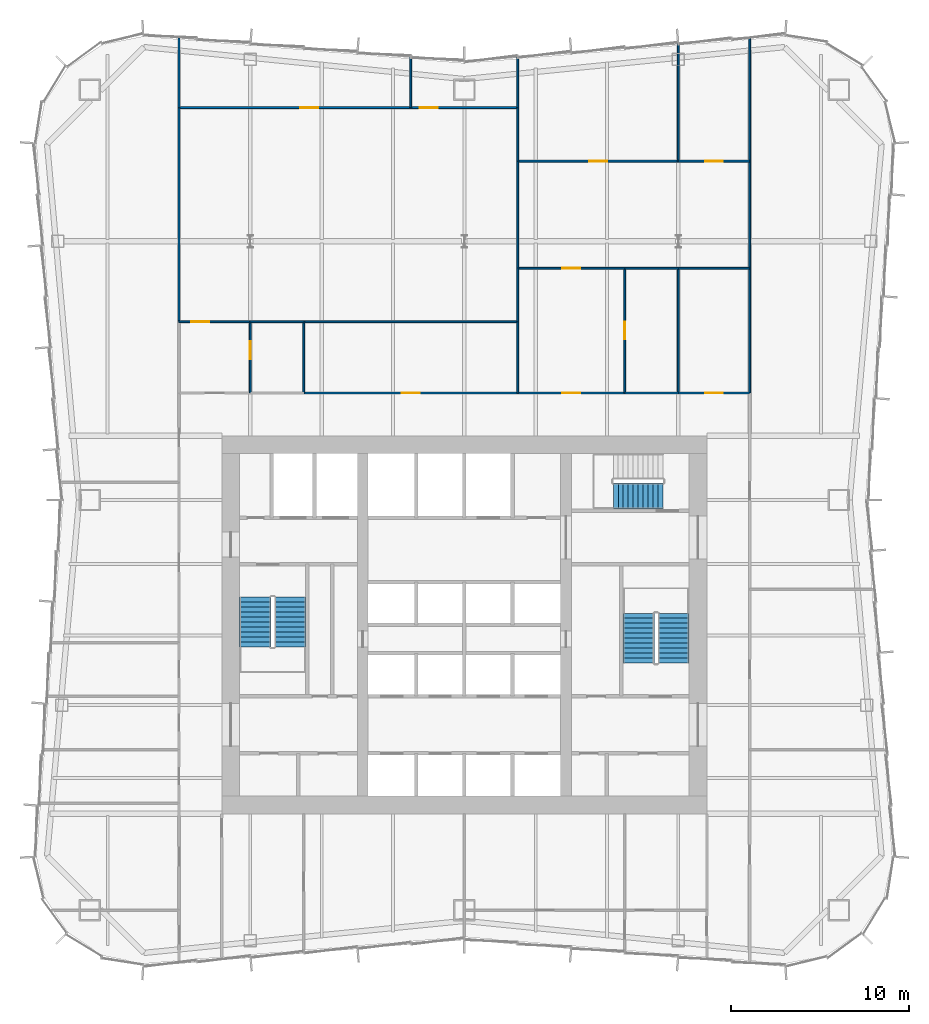
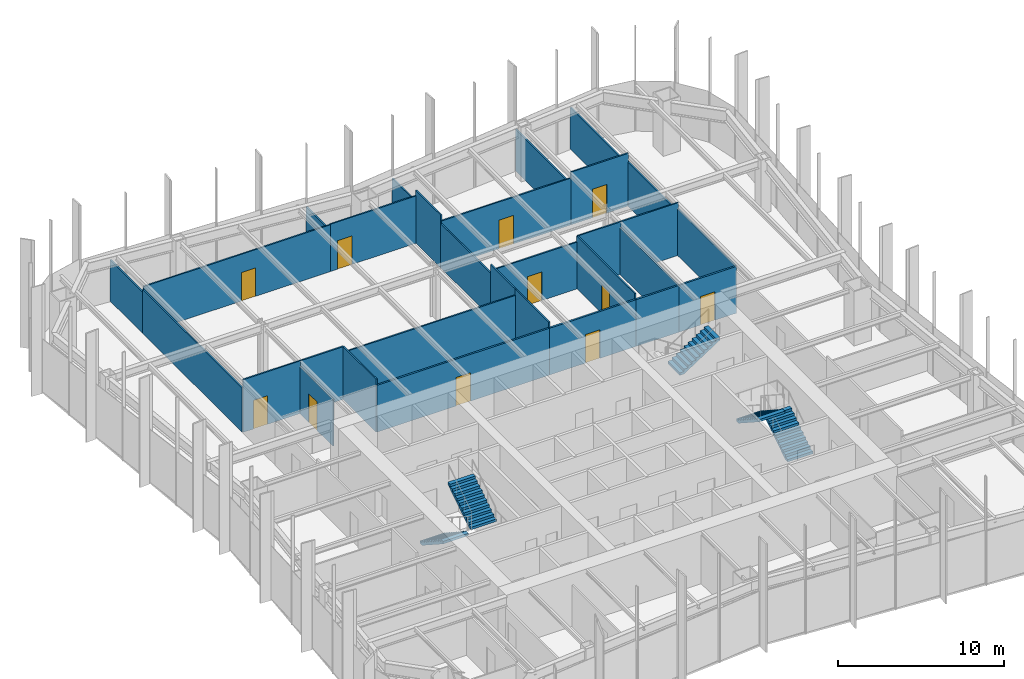
# One storey, part 12 of 14: 30 walls, 11 doors, 5 stair flights, 11 openings, 3 elements without a shape of their own.
"""IFC4 building model written with IfcOpenShell, lengths in metres."""

import ifcopenshell
import ifcopenshell.guid

model = None  # the IFC model being written
_history = None  # IfcOwnerHistory: only IFC2X3 demands one
_inside = {}  # id of a spatial element -> (the spatial element, [elements in it])
_under = {}  # id of a project, library or spatial element -> (it, [spatial elements below it])
_declared = {}  # id of a project -> (the project, [libraries it declares])
_typed = {}  # id of a type object -> (the type object, [elements of that type])
_made_of = {}  # id of a material, layer set ... -> (it, [elements and type objects made of it])


def new_model(schema):
    """Start an empty IFC model of exactly this schema.

    Asked for "IFC4X3", IfcOpenShell would pick the latest addendum, in which some entities
    have other attributes; the version numbers below select the first issue.
    IFC2X3 requires an IfcOwnerHistory on every rooted entity: one is made here for all.
    """
    global model, _history
    if schema == "IFC4X3":
        model = ifcopenshell.file(schema_version=(4, 3, 0, 0))
    else:
        model = ifcopenshell.file(schema=schema)
    _inside.clear()
    _under.clear()
    _declared.clear()
    _typed.clear()
    _made_of.clear()
    _history = None
    if model.schema == "IFC2X3":
        org = make("IfcOrganization", Name="unknown")
        user = make(
            "IfcPersonAndOrganization",
            ThePerson=make("IfcPerson", FamilyName="unknown"),
            TheOrganization=org,
        )
        app = make(
            "IfcApplication",
            ApplicationDeveloper=org,
            Version="unknown",
            ApplicationFullName="unknown",
            ApplicationIdentifier="unknown",
        )
        _history = make(
            "IfcOwnerHistory",
            OwningUser=user,
            OwningApplication=app,
            ChangeAction="ADDED",
            CreationDate=0,
        )
    return model


def make(cls, **values):
    """One entity of the class cls with the attributes given. An attribute that is None is left unset."""
    return model.create_entity(
        cls, **{name: value for name, value in values.items() if value is not None}
    )


def rooted(cls, **values):
    """An entity with a GlobalId (a new one), such as an element, a storey or a relation."""
    return make(cls, GlobalId=ifcopenshell.guid.new(), OwnerHistory=_history, **values)


def si_unit(unit_type, name, prefix=None):
    """IfcSIUnit, for example si_unit("LENGTHUNIT", "METRE", prefix="MILLI")."""
    return make("IfcSIUnit", UnitType=unit_type, Prefix=prefix, Name=name)


def assignment(units):
    """IfcUnitAssignment: the units of a project."""
    return None if units is None else make("IfcUnitAssignment", Units=units)


def point(xyz):
    """IfcCartesianPoint."""
    return None if xyz is None else make("IfcCartesianPoint", Coordinates=xyz)


def direction(xyz):
    """IfcDirection."""
    return None if xyz is None else make("IfcDirection", DirectionRatios=xyz)


def frame(location, z_axis=None, x_axis=None):
    """IfcAxis2Placement3D, a coordinate frame: its origin and axes. An axis left out is left unset."""
    return make(
        "IfcAxis2Placement3D",
        Location=point(location),
        Axis=direction(z_axis),
        RefDirection=direction(x_axis),
    )


def frame_2d(location, x_axis=None):
    """IfcAxis2Placement2D, a coordinate frame in the plane: its origin and x axis."""
    return make(
        "IfcAxis2Placement2D", Location=point(location), RefDirection=direction(x_axis)
    )


def origin():
    """The frame at (0, 0, 0) with its axes left unset."""
    return frame((0.0, 0.0, 0.0))


def place(relative_to, where):
    """IfcLocalPlacement: puts the frame where relative to a parent placement (None: the world)."""
    return make(
        "IfcLocalPlacement", PlacementRelTo=relative_to, RelativePlacement=where
    )


def context(
    kind, dimensions, precision=None, world=None, true_north=None, identifier=None
):
    """IfcGeometricRepresentationContext, for example the 3D "Model" context."""
    return make(
        "IfcGeometricRepresentationContext",
        ContextIdentifier=identifier,
        ContextType=kind,
        CoordinateSpaceDimension=dimensions,
        Precision=precision,
        WorldCoordinateSystem=world,
        TrueNorth=true_north,
    )


def subcontext(parent, identifier, kind, view, scale=None):
    """IfcGeometricRepresentationSubContext, for example "Body" below "Model"."""
    return make(
        "IfcGeometricRepresentationSubContext",
        ContextIdentifier=identifier,
        ContextType=kind,
        ParentContext=parent,
        TargetScale=scale,
        TargetView=view,
    )


def project(units=None, contexts=None):
    """IfcProject with its units and contexts."""
    return rooted(
        "IfcProject",
        Name="project",
        RepresentationContexts=contexts,
        UnitsInContext=assignment(units),
    )


def spatial(cls, under=None, at=None, **own):
    """A site, building, storey or space (cls), placed at a placement, below another one or the project."""
    s = rooted(cls, ObjectPlacement=at, **own)
    if under is not None:
        _under.setdefault(under.id(), (under, []))[1].append(s)
    return s


def polyline(points):
    """IfcPolyline through the points."""
    return make("IfcPolyline", Points=[point(p) for p in points])


def profile(cls, at=None, kind="AREA", **sizes):
    """A parametric profile (cls). Its sizes go by their IFC names, for example OverallWidth=200.0."""
    return make(cls, ProfileType=kind, Position=at, **sizes)


def rectangle(**sizes):
    """IfcRectangleProfileDef."""
    return profile("IfcRectangleProfileDef", **sizes)


def outline(outer, holes=None, kind="AREA"):
    """IfcArbitraryClosedProfileDef: a profile drawn as a closed curve; with holes, ...WithVoids."""
    if holes is None:
        return make("IfcArbitraryClosedProfileDef", ProfileType=kind, OuterCurve=outer)
    return make(
        "IfcArbitraryProfileDefWithVoids",
        ProfileType=kind,
        OuterCurve=outer,
        InnerCurves=holes,
    )


def extrude(swept, where, along, depth):
    """IfcExtrudedAreaSolid: the profile swept, set in the frame where, extruded along a direction by depth."""
    return make(
        "IfcExtrudedAreaSolid",
        SweptArea=swept,
        Position=where,
        ExtrudedDirection=direction(along),
        Depth=depth,
    )


def shape(context_of_items, identifier, shape_type, items):
    """IfcShapeRepresentation: the items that make up one representation, for example the "Body"."""
    return make(
        "IfcShapeRepresentation",
        ContextOfItems=context_of_items,
        RepresentationIdentifier=identifier,
        RepresentationType=shape_type,
        Items=items,
    )


def material(Name=None, Category=None):
    """IfcMaterial."""
    return make("IfcMaterial", Name=Name, Category=Category)


def layer(
    of_material, thickness, ventilated=None, Name=None, Category=None, Priority=None
):
    """IfcMaterialLayer: one layer of a wall or slab, of a material (None: an air gap)."""
    return make(
        "IfcMaterialLayer",
        Material=of_material,
        LayerThickness=thickness,
        IsVentilated=ventilated,
        Name=Name,
        Category=Category,
        Priority=Priority,
    )


def layer_set(layers, Name=None):
    """IfcMaterialLayerSet."""
    return make("IfcMaterialLayerSet", MaterialLayers=layers, LayerSetName=Name)


def made_of(thing, what):
    """Note that an element or type object is made of a material, layer set ...; save() writes the relation."""
    if what is not None:
        _made_of.setdefault(what.id(), (what, []))[1].append(thing)
    return thing


def type_object(cls, material=None, **own):
    """A type object (cls), such as IfcWallType, which elements share."""
    return made_of(rooted(cls, **own), material)


def element(
    cls,
    number,
    at=None,
    inside=None,
    cuts=None,
    type_object=None,
    material=None,
    context=None,
    identifier="Body",
    shape_type=None,
    held_by="IfcProductDefinitionShape",
    body=None,
    shapes=None,
    **own,
):
    """One element of the class cls, such as IfcWall. Its Tag is "e" and its number.

    at: its placement. inside: the storey or other place that contains it. cuts: it is an
    opening in that element (IfcRelVoidsElement). A single representation is given by context,
    identifier, shape_type and body (its items); several are given by shapes. held_by: the class
    of the entity that holds the representations. save() writes the other relations.
    """
    e = rooted(cls, Tag="e%d" % number, ObjectPlacement=at, **own)
    if body is not None:
        shapes = [shape(context, identifier, shape_type, body)]
    if shapes is not None:
        e.Representation = make(held_by, Representations=shapes)
    if inside is not None:
        _inside.setdefault(inside.id(), (inside, []))[1].append(e)
    if cuts is not None:
        rooted(
            "IfcRelVoidsElement", RelatingBuildingElement=cuts, RelatedOpeningElement=e
        )
    if type_object is not None:
        _typed.setdefault(type_object.id(), (type_object, []))[1].append(e)
    return made_of(e, material)


def fill(opening, filler):
    """IfcRelFillsElement: the door or window that sits in an opening."""
    return rooted(
        "IfcRelFillsElement",
        RelatingOpeningElement=opening,
        RelatedBuildingElement=filler,
    )


def aggregate(whole, parts):
    """IfcRelAggregates: a whole, such as a stair, and the parts it consists of."""
    return rooted("IfcRelAggregates", RelatingObject=whole, RelatedObjects=parts)


def save(model, path):
    """Write the relations noted so far, then the file.

    IfcRelAggregates (storeys below a building ...), IfcRelContainedInSpatialStructure (elements
    in a storey), IfcRelDefinesByType, IfcRelAssociatesMaterial and IfcRelDeclares: one each for
    every whole, place, type object, material and project.
    """
    for whole, parts in _under.values():
        aggregate(whole, parts)
    for where, things in _inside.values():
        rooted(
            "IfcRelContainedInSpatialStructure",
            RelatedElements=things,
            RelatingStructure=where,
        )
    for kind, things in _typed.values():
        rooted("IfcRelDefinesByType", RelatedObjects=things, RelatingType=kind)
    for what, things in _made_of.values():
        rooted("IfcRelAssociatesMaterial", RelatedObjects=things, RelatingMaterial=what)
    for by, libraries in _declared.values():
        rooted("IfcRelDeclares", RelatingContext=by, RelatedDefinitions=libraries)
    model.write(path)


model = new_model("IFC4")

# Units and contexts
model_context = context("Model", 3, precision=1e-05, world=origin(), true_north=direction((0.0, 1.0)))
body_context = subcontext(model_context, "Body", "Model", "MODEL_VIEW")
ifc_project = project(units=[si_unit("LENGTHUNIT", "METRE"), si_unit("AREAUNIT", "SQUARE_METRE"), si_unit("VOLUMEUNIT", "CUBIC_METRE"), si_unit("PLANEANGLEUNIT", "RADIAN"), si_unit("MASSUNIT", "GRAM", prefix="KILO")], contexts=[model_context])

# Site, building, storey
site_placement = place(None, origin())
site = spatial("IfcSite", under=ifc_project, at=site_placement, CompositionType="ELEMENT")
building_placement = place(site_placement, origin())
building = spatial("IfcBuilding", under=site, at=building_placement, Name="Verdant Reach Tower", CompositionType="ELEMENT")
storey_placement = place(building_placement, frame((0.0, 0.0, 162.0)))
storey = spatial("IfcBuildingStorey", under=building, at=storey_placement, Name="L37", CompositionType="ELEMENT", Elevation=162.0)

# Walls
ifc_material_1 = material(Name="Gypsum board on steel studs", Category="steel")
ifc_layer_1 = layer(ifc_material_1, 0.10009765625)
ifc_layer_set_1 = layer_set([ifc_layer_1], Name="FL-W1 Partition 100")
wall_type_1 = type_object("IfcWallType", Name="FL-W1 Partition 100", PredefinedType="PARTITIONING", material=ifc_layer_set_1)
wall_1_placement = place(storey_placement, frame((-16.0, 45.0, 0.0), z_axis=(0.0, 0.0, 1.0), x_axis=(0.0, 1.0, 0.0)))
element("IfcWall", 1, at=wall_1_placement, inside=storey, type_object=wall_type_1, Name="Partition 37.27", PredefinedType="PARTITIONING", context=body_context, shape_type="SweptSolid", body=[
    extrude(rectangle(XDim=12.0, YDim=0.10009765625, at=frame_2d((6.0, 0.0))), origin(), (0.0, 0.0, 1.0), 3.239990234375),
])
wall_2_placement = place(storey_placement, frame((-16.0, 57.0, 0.0), z_axis=(0.0, 0.0, 1.0), x_axis=(0.0, 1.0, 0.0)))
element("IfcWall", 2, at=wall_2_placement, inside=storey, type_object=wall_type_1, Name="Partition 37.28", PredefinedType="PARTITIONING", context=body_context, shape_type="SweptSolid", body=[
    extrude(rectangle(XDim=3.913330078125, YDim=0.10009765625, at=frame_2d((1.95654296875, 0.0))), origin(), (0.0, 0.0, 1.0), 3.0400390625),
])
wall_3_placement = place(storey_placement, frame((16.0, 48.0, 0.0), z_axis=(0.0, 0.0, 1.0), x_axis=(0.0, -1.0, 0.0)))
element("IfcWall", 3, at=wall_3_placement, inside=storey, type_object=wall_type_1, Name="Partition 37.31", PredefinedType="PARTITIONING", context=body_context, shape_type="SweptSolid", body=[
    extrude(rectangle(XDim=7.0, YDim=0.10009765625, at=frame_2d((3.5, 0.0))), origin(), (0.0, 0.0, 1.0), 3.43994140625),
])
wall_4_placement = place(storey_placement, frame((16.0, 54.0, 0.0), z_axis=(0.0, 0.0, 1.0), x_axis=(0.0, -1.0, 0.0)))
element("IfcWall", 4, at=wall_4_placement, inside=storey, type_object=wall_type_1, Name="Partition 37.32", PredefinedType="PARTITIONING", context=body_context, shape_type="SweptSolid", body=[
    extrude(rectangle(XDim=6.0, YDim=0.10009765625, at=frame_2d((3.0, 0.0))), origin(), (0.0, 0.0, 1.0), 3.239990234375),
])
wall_5_placement = place(storey_placement, frame((16.0, 60.913330078125, 0.0), z_axis=(0.0, 0.0, 1.0), x_axis=(0.0, -1.0, 0.0)))
element("IfcWall", 5, at=wall_5_placement, inside=storey, type_object=wall_type_1, Name="Partition 37.33", PredefinedType="PARTITIONING", context=body_context, shape_type="SweptSolid", body=[
    extrude(rectangle(XDim=6.913330078125, YDim=0.10009765625, at=frame_2d((3.45654296875, 0.0))), origin(), (0.0, 0.0, 1.0), 3.0400390625),
])

# Wall, opening, door
wall_6_placement = place(storey_placement, frame((-12.0, 45.0, 0.0), z_axis=(0.0, 0.0, 1.0), x_axis=(0.0, -1.0, 0.0)))
wall_6 = element("IfcWall", 6, at=wall_6_placement, inside=storey, type_object=wall_type_1, Name="Partition 37.41", PredefinedType="PARTITIONING", context=body_context, shape_type="SweptSolid", body=[
    extrude(rectangle(XDim=4.0, YDim=0.10009765625, at=frame_2d((2.0, 0.0))), origin(), (0.0, 0.0, 1.0), 3.43994140625),
])
opening_1_placement = place(wall_6_placement, frame((1.10009765625, 0.0, 0.0)))
opening_1 = element("IfcOpeningElement", 7, at=opening_1_placement, cuts=wall_6, Name="Opening D3", PredefinedType="OPENING", context=body_context, shape_type="SweptSolid", body=[
    extrude(rectangle(XDim=1.0, YDim=2.10009765625, at=frame_2d((0.5, 1.050048828125))), frame((0.0, 0.06005859375, 0.0), z_axis=(0.0, -1.0, 0.0), x_axis=(1.0, 0.0, 0.0)), (0.0, 0.0, 1.0), 0.1201171875),
])
ifc_material_2 = material(Name="Painted timber door leaf", Category="wood")
door_type_1 = type_object("IfcDoorType", Name="FL-D3 Door 1000x2100", OperationType="NOTDEFINED", PredefinedType="DOOR", material=ifc_material_2)
door_1_placement = place(opening_1_placement, origin())
door_1 = element("IfcDoor", 8, at=door_1_placement, inside=storey, type_object=door_type_1, Name="Door 37-021", OperationType="SINGLE_SWING_LEFT", OverallHeight=2.10009765625, OverallWidth=1.0, PredefinedType="DOOR", context=body_context, shape_type="SweptSolid", body=[
    extrude(rectangle(XDim=1.0, YDim=2.10009765625, at=frame_2d((0.5, 1.050048828125))), frame((0.0, 0.02490234375, 0.0), z_axis=(0.0, -1.0, 0.0), x_axis=(1.0, 0.0, 0.0)), (0.0, 0.0, 1.0), 0.050048828125),
])
fill(opening_1, door_1)

wall_7_placement = place(storey_placement, frame((-16.0, 45.0, 0.0), z_axis=(0.0, 0.0, 1.0), x_axis=(1.0, 0.0, 0.0)))
wall_7 = element("IfcWall", 9, at=wall_7_placement, inside=storey, type_object=wall_type_1, Name="Partition 37.42", PredefinedType="PARTITIONING", context=body_context, shape_type="SweptSolid", body=[
    extrude(rectangle(XDim=4.00390625, YDim=0.10009765625, at=frame_2d((2.001953125, 0.0))), origin(), (0.0, 0.0, 1.0), 3.8701171875),
])
opening_2_placement = place(wall_7_placement, frame((0.701904296875, 0.0, 0.0)))
opening_2 = element("IfcOpeningElement", 10, at=opening_2_placement, cuts=wall_7, Name="Opening D3", PredefinedType="OPENING", context=body_context, shape_type="SweptSolid", body=[
    extrude(rectangle(XDim=1.0, YDim=2.10009765625, at=frame_2d((0.5, 1.050048828125))), frame((0.0, 0.06005859375, 0.0), z_axis=(0.0, -1.0, 0.0), x_axis=(1.0, 0.0, 0.0)), (0.0, 0.0, 1.0), 0.1201171875),
])
door_2_placement = place(opening_2_placement, origin())
door_2 = element("IfcDoor", 11, at=door_2_placement, inside=storey, type_object=door_type_1, Name="Door 37-022", OperationType="SINGLE_SWING_LEFT", OverallHeight=2.10009765625, OverallWidth=1.0, PredefinedType="DOOR", context=body_context, shape_type="SweptSolid", body=[
    extrude(rectangle(XDim=1.0, YDim=2.10009765625, at=frame_2d((0.5, 1.050048828125))), frame((0.0, 0.02490234375, 0.0), z_axis=(0.0, -1.0, 0.0), x_axis=(1.0, 0.0, 0.0)), (0.0, 0.0, 1.0), 0.050048828125),
])
fill(opening_2, door_2)

# Walls
wall_8_placement = place(storey_placement, frame((-9.0, 41.0, 0.0), z_axis=(0.0, 0.0, 1.0), x_axis=(0.0, 1.0, 0.0)))
element("IfcWall", 12, at=wall_8_placement, inside=storey, type_object=wall_type_1, Name="Partition 37.43", PredefinedType="PARTITIONING", context=body_context, shape_type="SweptSolid", body=[
    extrude(rectangle(XDim=4.0, YDim=0.10009765625, at=frame_2d((2.0, 0.0))), origin(), (0.0, 0.0, 1.0), 3.8701171875),
])
wall_9_placement = place(storey_placement, frame((-8.99609375, 45.0, 0.0), z_axis=(0.0, 0.0, 1.0), x_axis=(-1.0, 0.0, 0.0)))
element("IfcWall", 13, at=wall_9_placement, inside=storey, type_object=wall_type_1, Name="Partition 37.44", PredefinedType="PARTITIONING", context=body_context, shape_type="SweptSolid", body=[
    extrude(rectangle(XDim=3.0078125, YDim=0.10009765625, at=frame_2d((1.50390625, 0.0))), origin(), (0.0, 0.0, 1.0), 3.8701171875),
])
wall_10_placement = place(storey_placement, frame((3.0, 45.0, 0.0), z_axis=(0.0, 0.0, 1.0), x_axis=(-1.0, 0.0, 0.0)))
element("IfcWall", 14, at=wall_10_placement, inside=storey, type_object=wall_type_1, Name="Partition 37.45", PredefinedType="PARTITIONING", context=body_context, shape_type="SweptSolid", body=[
    extrude(rectangle(XDim=12.00390625, YDim=0.10009765625, at=frame_2d((6.001953125, 0.0))), origin(), (0.0, 0.0, 1.0), 3.43994140625),
])
wall_11_placement = place(storey_placement, frame((3.0, 41.0, 0.0), z_axis=(0.0, 0.0, 1.0), x_axis=(0.0, 1.0, 0.0)))
element("IfcWall", 15, at=wall_11_placement, inside=storey, type_object=wall_type_1, Name="Partition 37.46", PredefinedType="PARTITIONING", context=body_context, shape_type="SweptSolid", body=[
    extrude(rectangle(XDim=4.00390625, YDim=0.10009765625, at=frame_2d((2.001953125, 0.0))), origin(), (0.0, 0.0, 1.0), 3.8701171875),
])

# Wall, opening, door
wall_12_placement = place(storey_placement, frame((-16.0, 57.0, 0.0), z_axis=(0.0, 0.0, 1.0), x_axis=(1.0, 0.0, 0.0)))
wall_12 = element("IfcWall", 16, at=wall_12_placement, inside=storey, type_object=wall_type_1, Name="Partition 37.47", PredefinedType="PARTITIONING", context=body_context, shape_type="SweptSolid", body=[
    extrude(rectangle(XDim=13.0, YDim=0.10009765625, at=frame_2d((6.5, 0.0))), origin(), (0.0, 0.0, 1.0), 3.43994140625),
])
opening_3_placement = place(wall_12_placement, frame((6.800048828125, 0.0, 0.0)))
opening_3 = element("IfcOpeningElement", 17, at=opening_3_placement, cuts=wall_12, Name="Opening D3", PredefinedType="OPENING", context=body_context, shape_type="SweptSolid", body=[
    extrude(rectangle(XDim=1.0, YDim=2.10009765625, at=frame_2d((0.5, 1.050048828125))), frame((0.0, 0.06005859375, 0.0), z_axis=(0.0, -1.0, 0.0), x_axis=(1.0, 0.0, 0.0)), (0.0, 0.0, 1.0), 0.1201171875),
])
door_3_placement = place(opening_3_placement, origin())
door_3 = element("IfcDoor", 18, at=door_3_placement, inside=storey, type_object=door_type_1, Name="Door 37-023", OperationType="SINGLE_SWING_RIGHT", OverallHeight=2.10009765625, OverallWidth=1.0, PredefinedType="DOOR", context=body_context, shape_type="SweptSolid", body=[
    extrude(rectangle(XDim=1.0, YDim=2.10009765625, at=frame_2d((0.5, 1.050048828125))), frame((0.0, 0.02490234375, 0.0), z_axis=(0.0, -1.0, 0.0), x_axis=(1.0, 0.0, 0.0)), (0.0, 0.0, 1.0), 0.050048828125),
])
fill(opening_3, door_3)

wall_13_placement = place(storey_placement, frame((-3.0, 57.0, 0.0), z_axis=(0.0, 0.0, 1.0), x_axis=(1.0, 0.0, 0.0)))
wall_13 = element("IfcWall", 19, at=wall_13_placement, inside=storey, type_object=wall_type_1, Name="Partition 37.48", PredefinedType="PARTITIONING", context=body_context, shape_type="SweptSolid", body=[
    extrude(rectangle(XDim=6.0, YDim=0.10009765625, at=frame_2d((3.0, 0.0))), origin(), (0.0, 0.0, 1.0), 3.47998046875),
])
opening_4_placement = place(wall_13_placement, frame((0.5, 0.0, 0.0)))
opening_4 = element("IfcOpeningElement", 20, at=opening_4_placement, cuts=wall_13, Name="Opening D3", PredefinedType="OPENING", context=body_context, shape_type="SweptSolid", body=[
    extrude(rectangle(XDim=1.0, YDim=2.10009765625, at=frame_2d((0.5, 1.050048828125))), frame((0.0, 0.06005859375, 0.0), z_axis=(0.0, -1.0, 0.0), x_axis=(1.0, 0.0, 0.0)), (0.0, 0.0, 1.0), 0.1201171875),
])
door_4_placement = place(opening_4_placement, origin())
door_4 = element("IfcDoor", 21, at=door_4_placement, inside=storey, type_object=door_type_1, Name="Door 37-024", OperationType="SINGLE_SWING_LEFT", OverallHeight=2.10009765625, OverallWidth=1.0, PredefinedType="DOOR", context=body_context, shape_type="SweptSolid", body=[
    extrude(rectangle(XDim=1.0, YDim=2.10009765625, at=frame_2d((0.5, 1.050048828125))), frame((0.0, 0.02490234375, 0.0), z_axis=(0.0, -1.0, 0.0), x_axis=(1.0, 0.0, 0.0)), (0.0, 0.0, 1.0), 0.050048828125),
])
fill(opening_4, door_4)

# Walls
wall_14_placement = place(storey_placement, frame((3.0, 44.99609375, 0.0), z_axis=(0.0, 0.0, 1.0), x_axis=(0.0, 1.0, 0.0)))
element("IfcWall", 22, at=wall_14_placement, inside=storey, type_object=wall_type_1, Name="Partition 37.49", PredefinedType="PARTITIONING", context=body_context, shape_type="SweptSolid", body=[
    extrude(rectangle(XDim=3.00390625, YDim=0.10009765625, at=frame_2d((1.501953125, 0.0))), origin(), (0.0, 0.0, 1.0), 3.8701171875),
])
wall_15_placement = place(storey_placement, frame((3.0, 48.0, 0.0), z_axis=(0.0, 0.0, 1.0), x_axis=(0.0, 1.0, 0.0)))
element("IfcWall", 23, at=wall_15_placement, inside=storey, type_object=wall_type_1, Name="Partition 37.50", PredefinedType="PARTITIONING", context=body_context, shape_type="SweptSolid", body=[
    extrude(rectangle(XDim=6.0, YDim=0.10009765625, at=frame_2d((3.0, 0.0))), origin(), (0.0, 0.0, 1.0), 3.239990234375),
])
wall_16_placement = place(storey_placement, frame((3.0, 54.0, 0.0), z_axis=(0.0, 0.0, 1.0), x_axis=(0.0, 1.0, 0.0)))
element("IfcWall", 24, at=wall_16_placement, inside=storey, type_object=wall_type_1, Name="Partition 37.51", PredefinedType="PARTITIONING", context=body_context, shape_type="SweptSolid", body=[
    extrude(rectangle(XDim=3.00390625, YDim=0.10009765625, at=frame_2d((1.501953125, 0.0))), origin(), (0.0, 0.0, 1.0), 3.8701171875),
])
wall_17_placement = place(storey_placement, frame((-3.0, 57.0, 0.0), z_axis=(0.0, 0.0, 1.0), x_axis=(0.0, 1.0, 0.0)))
element("IfcWall", 25, at=wall_17_placement, inside=storey, type_object=wall_type_1, Name="Partition 37.52", PredefinedType="PARTITIONING", context=body_context, shape_type="SweptSolid", body=[
    extrude(rectangle(XDim=2.830078125, YDim=0.10009765625, at=frame_2d((1.4150390625, 0.0))), origin(), (0.0, 0.0, 1.0), 3.0400390625),
])
wall_18_placement = place(storey_placement, frame((3.0, 56.99609375, 0.0), z_axis=(0.0, 0.0, 1.0), x_axis=(0.0, 1.0, 0.0)))
element("IfcWall", 26, at=wall_18_placement, inside=storey, type_object=wall_type_1, Name="Partition 37.53", PredefinedType="PARTITIONING", context=body_context, shape_type="SweptSolid", body=[
    extrude(rectangle(XDim=2.833984375, YDim=0.10009765625, at=frame_2d((1.4169921875, 0.0))), origin(), (0.0, 0.0, 1.0), 3.0400390625),
])

# Wall, opening, door
wall_19_placement = place(storey_placement, frame((9.0, 48.0, 0.0), z_axis=(0.0, 0.0, 1.0), x_axis=(0.0, -1.0, 0.0)))
wall_19 = element("IfcWall", 27, at=wall_19_placement, inside=storey, type_object=wall_type_1, Name="Partition 37.54", PredefinedType="PARTITIONING", context=body_context, shape_type="SweptSolid", body=[
    extrude(rectangle(XDim=7.0, YDim=0.10009765625, at=frame_2d((3.5, 0.0))), origin(), (0.0, 0.0, 1.0), 3.8701171875),
])
opening_5_placement = place(wall_19_placement, frame((3.0, 0.0, 0.0)))
opening_5 = element("IfcOpeningElement", 28, at=opening_5_placement, cuts=wall_19, Name="Opening D3", PredefinedType="OPENING", context=body_context, shape_type="SweptSolid", body=[
    extrude(rectangle(XDim=1.0, YDim=2.10009765625, at=frame_2d((0.5, 1.050048828125))), frame((0.0, 0.06005859375, 0.0), z_axis=(0.0, -1.0, 0.0), x_axis=(1.0, 0.0, 0.0)), (0.0, 0.0, 1.0), 0.1201171875),
])
door_5_placement = place(opening_5_placement, origin())
door_5 = element("IfcDoor", 29, at=door_5_placement, inside=storey, type_object=door_type_1, Name="Door 37-025", OperationType="SINGLE_SWING_LEFT", OverallHeight=2.10009765625, OverallWidth=1.0, PredefinedType="DOOR", context=body_context, shape_type="SweptSolid", body=[
    extrude(rectangle(XDim=1.0, YDim=2.10009765625, at=frame_2d((0.5, 1.050048828125))), frame((0.0, 0.02490234375, 0.0), z_axis=(0.0, -1.0, 0.0), x_axis=(1.0, 0.0, 0.0)), (0.0, 0.0, 1.0), 0.050048828125),
])
fill(opening_5, door_5)

wall_20_placement = place(storey_placement, frame((3.0, 48.0, 0.0), z_axis=(0.0, 0.0, 1.0), x_axis=(1.0, 0.0, 0.0)))
wall_20 = element("IfcWall", 30, at=wall_20_placement, inside=storey, type_object=wall_type_1, Name="Partition 37.55", PredefinedType="PARTITIONING", context=body_context, shape_type="SweptSolid", body=[
    extrude(rectangle(XDim=6.00390625, YDim=0.10009765625, at=frame_2d((3.001953125, 0.0))), origin(), (0.0, 0.0, 1.0), 3.43994140625),
])
opening_6_placement = place(wall_20_placement, frame((2.501953125, 0.0, 0.0)))
opening_6 = element("IfcOpeningElement", 31, at=opening_6_placement, cuts=wall_20, Name="Opening D3", PredefinedType="OPENING", context=body_context, shape_type="SweptSolid", body=[
    extrude(rectangle(XDim=1.0, YDim=2.10009765625, at=frame_2d((0.5, 1.050048828125))), frame((0.0, 0.06005859375, 0.0), z_axis=(0.0, -1.0, 0.0), x_axis=(1.0, 0.0, 0.0)), (0.0, 0.0, 1.0), 0.1201171875),
])
door_6_placement = place(opening_6_placement, origin())
door_6 = element("IfcDoor", 32, at=door_6_placement, inside=storey, type_object=door_type_1, Name="Door 37-026", OperationType="SINGLE_SWING_RIGHT", OverallHeight=2.10009765625, OverallWidth=1.0, PredefinedType="DOOR", context=body_context, shape_type="SweptSolid", body=[
    extrude(rectangle(XDim=1.0, YDim=2.10009765625, at=frame_2d((0.5, 1.050048828125))), frame((0.0, 0.02490234375, 0.0), z_axis=(0.0, -1.0, 0.0), x_axis=(1.0, 0.0, 0.0)), (0.0, 0.0, 1.0), 0.050048828125),
])
fill(opening_6, door_6)

# Walls
wall_21_placement = place(storey_placement, frame((12.0, 41.0, 0.0), z_axis=(0.0, 0.0, 1.0), x_axis=(0.0, 1.0, 0.0)))
element("IfcWall", 33, at=wall_21_placement, inside=storey, type_object=wall_type_1, Name="Partition 37.56", PredefinedType="PARTITIONING", context=body_context, shape_type="SweptSolid", body=[
    extrude(rectangle(XDim=7.0, YDim=0.10009765625, at=frame_2d((3.5, 0.0))), origin(), (0.0, 0.0, 1.0), 3.43994140625),
])
wall_22_placement = place(storey_placement, frame((12.00390625, 48.0, 0.0), z_axis=(0.0, 0.0, 1.0), x_axis=(-1.0, 0.0, 0.0)))
element("IfcWall", 34, at=wall_22_placement, inside=storey, type_object=wall_type_1, Name="Partition 37.57", PredefinedType="PARTITIONING", context=body_context, shape_type="SweptSolid", body=[
    extrude(rectangle(XDim=3.0078125, YDim=0.10009765625, at=frame_2d((1.50390625, 0.0))), origin(), (0.0, 0.0, 1.0), 3.8701171875),
])
wall_23_placement = place(storey_placement, frame((16.0, 48.0, 0.0), z_axis=(0.0, 0.0, 1.0), x_axis=(-1.0, 0.0, 0.0)))
element("IfcWall", 35, at=wall_23_placement, inside=storey, type_object=wall_type_1, Name="Partition 37.58", PredefinedType="PARTITIONING", context=body_context, shape_type="SweptSolid", body=[
    extrude(rectangle(XDim=4.00390625, YDim=0.10009765625, at=frame_2d((2.001953125, 0.0))), origin(), (0.0, 0.0, 1.0), 3.8701171875),
])

# Wall, opening, door
wall_24_placement = place(storey_placement, frame((3.0, 54.0, 0.0), z_axis=(0.0, 0.0, 1.0), x_axis=(1.0, 0.0, 0.0)))
wall_24 = element("IfcWall", 36, at=wall_24_placement, inside=storey, type_object=wall_type_1, Name="Partition 37.59", PredefinedType="PARTITIONING", context=body_context, shape_type="SweptSolid", body=[
    extrude(rectangle(XDim=9.0, YDim=0.10009765625, at=frame_2d((4.5, 0.0))), origin(), (0.0, 0.0, 1.0), 3.43994140625),
])
opening_7_placement = place(wall_24_placement, frame((4.0, 0.0, 0.0)))
opening_7 = element("IfcOpeningElement", 37, at=opening_7_placement, cuts=wall_24, Name="Opening D3", PredefinedType="OPENING", context=body_context, shape_type="SweptSolid", body=[
    extrude(rectangle(XDim=1.0, YDim=2.10009765625, at=frame_2d((0.5, 1.050048828125))), frame((0.0, 0.06005859375, 0.0), z_axis=(0.0, -1.0, 0.0), x_axis=(1.0, 0.0, 0.0)), (0.0, 0.0, 1.0), 0.1201171875),
])
door_7_placement = place(opening_7_placement, origin())
door_7 = element("IfcDoor", 38, at=door_7_placement, inside=storey, type_object=door_type_1, Name="Door 37-027", OperationType="SINGLE_SWING_LEFT", OverallHeight=2.10009765625, OverallWidth=1.0, PredefinedType="DOOR", context=body_context, shape_type="SweptSolid", body=[
    extrude(rectangle(XDim=1.0, YDim=2.10009765625, at=frame_2d((0.5, 1.050048828125))), frame((0.0, 0.02490234375, 0.0), z_axis=(0.0, -1.0, 0.0), x_axis=(1.0, 0.0, 0.0)), (0.0, 0.0, 1.0), 0.050048828125),
])
fill(opening_7, door_7)

wall_25_placement = place(storey_placement, frame((12.0, 54.0, 0.0), z_axis=(0.0, 0.0, 1.0), x_axis=(1.0, 0.0, 0.0)))
wall_25 = element("IfcWall", 39, at=wall_25_placement, inside=storey, type_object=wall_type_1, Name="Partition 37.60", PredefinedType="PARTITIONING", context=body_context, shape_type="SweptSolid", body=[
    extrude(rectangle(XDim=4.0, YDim=0.10009765625, at=frame_2d((2.0, 0.0))), origin(), (0.0, 0.0, 1.0), 3.8701171875),
])
opening_8_placement = place(wall_25_placement, frame((1.5, 0.0, 0.0)))
opening_8 = element("IfcOpeningElement", 40, at=opening_8_placement, cuts=wall_25, Name="Opening D3", PredefinedType="OPENING", context=body_context, shape_type="SweptSolid", body=[
    extrude(rectangle(XDim=1.0, YDim=2.10009765625, at=frame_2d((0.5, 1.050048828125))), frame((0.0, 0.06005859375, 0.0), z_axis=(0.0, -1.0, 0.0), x_axis=(1.0, 0.0, 0.0)), (0.0, 0.0, 1.0), 0.1201171875),
])
door_8_placement = place(opening_8_placement, origin())
door_8 = element("IfcDoor", 41, at=door_8_placement, inside=storey, type_object=door_type_1, Name="Door 37-028", OperationType="SINGLE_SWING_RIGHT", OverallHeight=2.10009765625, OverallWidth=1.0, PredefinedType="DOOR", context=body_context, shape_type="SweptSolid", body=[
    extrude(rectangle(XDim=1.0, YDim=2.10009765625, at=frame_2d((0.5, 1.050048828125))), frame((0.0, 0.02490234375, 0.0), z_axis=(0.0, -1.0, 0.0), x_axis=(1.0, 0.0, 0.0)), (0.0, 0.0, 1.0), 0.050048828125),
])
fill(opening_8, door_8)

# Wall
wall_26_placement = place(storey_placement, frame((12.0, 54.0, 0.0), z_axis=(0.0, 0.0, 1.0), x_axis=(0.0, 1.0, 0.0)))
element("IfcWall", 42, at=wall_26_placement, inside=storey, type_object=wall_type_1, Name="Partition 37.61", PredefinedType="PARTITIONING", context=body_context, shape_type="SweptSolid", body=[
    extrude(rectangle(XDim=6.580078125, YDim=0.10009765625, at=frame_2d((3.2900390625, 0.0))), origin(), (0.0, 0.0, 1.0), 3.0400390625),
])

# Wall, opening, door
ifc_material_3 = material(Name="Gypsum board on steel studs, fire rated", Category="steel")
ifc_layer_2 = layer(ifc_material_3, 0.125)
ifc_layer_set_2 = layer_set([ifc_layer_2], Name="FL-W2 Corridor wall 125")
wall_type_2 = type_object("IfcWallType", Name="FL-W2 Corridor wall 125", PredefinedType="PARTITIONING", material=ifc_layer_set_2)
wall_27_placement = place(storey_placement, frame((-9.0, 41.0, 0.0), z_axis=(0.0, 0.0, 1.0), x_axis=(1.0, 0.0, 0.0)))
wall_27 = element("IfcWall", 43, at=wall_27_placement, inside=storey, type_object=wall_type_2, Name="Partition 37.16", PredefinedType="PARTITIONING", context=body_context, shape_type="SweptSolid", body=[
    extrude(rectangle(XDim=12.0, YDim=0.125, at=frame_2d((6.0, 0.0))), origin(), (0.0, 0.0, 1.0), 3.43994140625),
])
opening_9_placement = place(wall_27_placement, frame((5.5, 0.0, 0.0)))
opening_9 = element("IfcOpeningElement", 44, at=opening_9_placement, cuts=wall_27, Name="Opening D2", PredefinedType="OPENING", context=body_context, shape_type="SweptSolid", body=[
    extrude(rectangle(XDim=1.0, YDim=2.10009765625, at=frame_2d((0.5, 1.050048828125))), frame((0.0, 0.072509765625, 0.0), z_axis=(0.0, -1.0, 0.0), x_axis=(1.0, 0.0, 0.0)), (0.0, 0.0, 1.0), 0.14501953125),
])
ifc_material_4 = material(Name="Timber door leaf, fire rated", Category="wood")
door_type_2 = type_object("IfcDoorType", Name="FL-D2 Entrance door 1000x2100 FD30", OperationType="NOTDEFINED", PredefinedType="DOOR", material=ifc_material_4)
door_9_placement = place(opening_9_placement, origin())
door_9 = element("IfcDoor", 45, at=door_9_placement, inside=storey, type_object=door_type_2, Name="Door 37-014", OperationType="SINGLE_SWING_RIGHT", OverallHeight=2.10009765625, OverallWidth=1.0, PredefinedType="DOOR", context=body_context, shape_type="SweptSolid", body=[
    extrude(rectangle(XDim=1.0, YDim=2.10009765625, at=frame_2d((0.5, 1.050048828125))), frame((0.0, 0.02490234375, 0.0), z_axis=(0.0, -1.0, 0.0), x_axis=(1.0, 0.0, 0.0)), (0.0, 0.0, 1.0), 0.050048828125),
])
fill(opening_9, door_9)

wall_28_placement = place(storey_placement, frame((3.0, 41.0, 0.0), z_axis=(0.0, 0.0, 1.0), x_axis=(1.0, 0.0, 0.0)))
wall_28 = element("IfcWall", 46, at=wall_28_placement, inside=storey, type_object=wall_type_2, Name="Partition 37.17", PredefinedType="PARTITIONING", context=body_context, shape_type="SweptSolid", body=[
    extrude(rectangle(XDim=6.0, YDim=0.125, at=frame_2d((3.0, 0.0))), origin(), (0.0, 0.0, 1.0), 3.43994140625),
])
opening_10_placement = place(wall_28_placement, frame((2.5, 0.0, 0.0)))
opening_10 = element("IfcOpeningElement", 47, at=opening_10_placement, cuts=wall_28, Name="Opening D2", PredefinedType="OPENING", context=body_context, shape_type="SweptSolid", body=[
    extrude(rectangle(XDim=1.0, YDim=2.10009765625, at=frame_2d((0.5, 1.050048828125))), frame((0.0, 0.072509765625, 0.0), z_axis=(0.0, -1.0, 0.0), x_axis=(1.0, 0.0, 0.0)), (0.0, 0.0, 1.0), 0.14501953125),
])
door_10_placement = place(opening_10_placement, origin())
door_10 = element("IfcDoor", 48, at=door_10_placement, inside=storey, type_object=door_type_2, Name="Door 37-015", OperationType="SINGLE_SWING_LEFT", OverallHeight=2.10009765625, OverallWidth=1.0, PredefinedType="DOOR", context=body_context, shape_type="SweptSolid", body=[
    extrude(rectangle(XDim=1.0, YDim=2.10009765625, at=frame_2d((0.5, 1.050048828125))), frame((0.0, 0.02490234375, 0.0), z_axis=(0.0, -1.0, 0.0), x_axis=(1.0, 0.0, 0.0)), (0.0, 0.0, 1.0), 0.050048828125),
])
fill(opening_10, door_10)

# Wall
wall_29_placement = place(storey_placement, frame((12.0, 41.0, 0.0), z_axis=(0.0, 0.0, 1.0), x_axis=(-1.0, 0.0, 0.0)))
element("IfcWall", 49, at=wall_29_placement, inside=storey, type_object=wall_type_2, Name="Partition 37.18", PredefinedType="PARTITIONING", context=body_context, shape_type="SweptSolid", body=[
    extrude(rectangle(XDim=3.0, YDim=0.125, at=frame_2d((1.5, 0.0))), origin(), (0.0, 0.0, 1.0), 3.43994140625),
])

# Wall, opening, door
wall_30_placement = place(storey_placement, frame((12.0, 41.0, 0.0), z_axis=(0.0, 0.0, 1.0), x_axis=(1.0, 0.0, 0.0)))
wall_30 = element("IfcWall", 50, at=wall_30_placement, inside=storey, type_object=wall_type_2, Name="Partition 37.19", PredefinedType="PARTITIONING", context=body_context, shape_type="SweptSolid", body=[
    extrude(rectangle(XDim=4.0, YDim=0.125, at=frame_2d((2.0, 0.0))), origin(), (0.0, 0.0, 1.0), 3.43994140625),
])
opening_11_placement = place(wall_30_placement, frame((1.5, 0.0, 0.0)))
opening_11 = element("IfcOpeningElement", 51, at=opening_11_placement, cuts=wall_30, Name="Opening D2", PredefinedType="OPENING", context=body_context, shape_type="SweptSolid", body=[
    extrude(rectangle(XDim=1.0, YDim=2.10009765625, at=frame_2d((0.5, 1.050048828125))), frame((0.0, 0.072509765625, 0.0), z_axis=(0.0, -1.0, 0.0), x_axis=(1.0, 0.0, 0.0)), (0.0, 0.0, 1.0), 0.14501953125),
])
door_11_placement = place(opening_11_placement, origin())
door_11 = element("IfcDoor", 52, at=door_11_placement, inside=storey, type_object=door_type_2, Name="Door 37-016", OperationType="SINGLE_SWING_RIGHT", OverallHeight=2.10009765625, OverallWidth=1.0, PredefinedType="DOOR", context=body_context, shape_type="SweptSolid", body=[
    extrude(rectangle(XDim=1.0, YDim=2.10009765625, at=frame_2d((0.5, 1.050048828125))), frame((0.0, 0.02490234375, 0.0), z_axis=(0.0, -1.0, 0.0), x_axis=(1.0, 0.0, 0.0)), (0.0, 0.0, 1.0), 0.050048828125),
])
fill(opening_11, door_11)

# Stair, stair flights
ifc_material_5 = material(Name="Concrete C40/50", Category="concrete")
stair_type = type_object("IfcStairType", Name="CO-STAIR", PredefinedType="HALF_TURN_STAIR", material=ifc_material_5)
stair_1_placement = place(storey_placement, origin())
stair_1 = element("IfcStair", 53, at=stair_1_placement, inside=storey, type_object=stair_type, Name="L37 Exit stair 1", PredefinedType="HALF_TURN_STAIR")
stair_flight_type = type_object("IfcStairFlightType", Name="CO-STAIR-FLIGHT", PredefinedType="STRAIGHT", material=ifc_material_5)
stair_flight_1_placement = place(storey_placement, frame((-11.72509765625, 29.550048828125, 0.0), z_axis=(0.0, 0.0, 1.0), x_axis=(0.0, -1.0, 0.0)))
stair_flight_1 = element("IfcStairFlight", 54, at=stair_flight_1_placement, type_object=stair_flight_type, Name="ST-1 flight 1", NumberOfRisers=11, NumberOfTreads=10, PredefinedType="STRAIGHT", RiserHeight=0.181818182, TreadLength=0.28, context=body_context, shape_type="SweptSolid", body=[
    extrude(outline(polyline([(0.0, 0.0), (0.0, 0.181884765625), (0.280029296875, 0.181884765625), (0.280029296875, 0.363525390625), (0.56005859375, 0.363525390625), (0.56005859375, 0.54541015625), (0.840087890625, 0.54541015625), (0.840087890625, 0.727294921875), (1.1201171875, 0.727294921875), (1.1201171875, 0.9091796875), (1.39990234375, 0.9091796875), (1.39990234375, 1.0908203125), (1.679931640625, 1.0908203125), (1.679931640625, 1.272705078125), (1.9599609375, 1.272705078125), (1.9599609375, 1.45458984375), (2.239990234375, 1.45458984375), (2.239990234375, 1.636474609375), (2.52001953125, 1.636474609375), (2.52001953125, 1.818115234375), (2.800048828125, 1.818115234375), (2.800048828125, 2.0), (2.800048828125, 1.639404296875), (0.275146484375, 0.0), (0.0, 0.0)])), frame((0.0, 0.875, 0.0), z_axis=(0.0, -1.0, 0.0), x_axis=(1.0, 0.0, 0.0)), (0.0, 0.0, 1.0), 1.75),
])
stair_flight_2_placement = place(storey_placement, frame((-9.77490234375, 26.75, 2.0), z_axis=(0.0, 0.0, 1.0), x_axis=(0.0, 1.0, 0.0)))
stair_flight_2 = element("IfcStairFlight", 55, at=stair_flight_2_placement, type_object=stair_flight_type, Name="ST-1 flight 2", NumberOfRisers=11, NumberOfTreads=10, PredefinedType="STRAIGHT", RiserHeight=0.181818182, TreadLength=0.28, context=body_context, shape_type="SweptSolid", body=[
    extrude(outline(polyline([(0.0, 0.0), (0.0, 0.181884765625), (0.280029296875, 0.181884765625), (0.280029296875, 0.363525390625), (0.56005859375, 0.363525390625), (0.56005859375, 0.54541015625), (0.840087890625, 0.54541015625), (0.840087890625, 0.727294921875), (1.1201171875, 0.727294921875), (1.1201171875, 0.9091796875), (1.39990234375, 0.9091796875), (1.39990234375, 1.0908203125), (1.679931640625, 1.0908203125), (1.679931640625, 1.272705078125), (1.9599609375, 1.272705078125), (1.9599609375, 1.45458984375), (2.239990234375, 1.45458984375), (2.239990234375, 1.636474609375), (2.52001953125, 1.636474609375), (2.52001953125, 1.818115234375), (2.800048828125, 1.818115234375), (2.800048828125, 2.0), (2.800048828125, 1.639404296875), (0.275146484375, 0.0), (0.0, 0.0)])), frame((0.0, 0.875, 0.0), z_axis=(0.0, -1.0, 0.0), x_axis=(1.0, 0.0, 0.0)), (0.0, 0.0, 1.0), 1.75),
])
aggregate(stair_1, [stair_flight_1, stair_flight_2])

stair_2_placement = place(storey_placement, origin())
stair_2 = element("IfcStair", 56, at=stair_2_placement, inside=storey, type_object=stair_type, Name="L37 Exit stair 2", PredefinedType="HALF_TURN_STAIR")
stair_flight_3_placement = place(storey_placement, frame((11.72509765625, 25.85009765625, 0.0), z_axis=(0.0, 0.0, 1.0), x_axis=(0.0, 1.0, 0.0)))
stair_flight_3 = element("IfcStairFlight", 57, at=stair_flight_3_placement, type_object=stair_flight_type, Name="ST-2 flight 1", NumberOfRisers=11, NumberOfTreads=10, PredefinedType="STRAIGHT", RiserHeight=0.181818182, TreadLength=0.28, context=body_context, shape_type="SweptSolid", body=[
    extrude(outline(polyline([(0.0, 0.0), (0.0, 0.181884765625), (0.280029296875, 0.181884765625), (0.280029296875, 0.363525390625), (0.56005859375, 0.363525390625), (0.56005859375, 0.54541015625), (0.840087890625, 0.54541015625), (0.840087890625, 0.727294921875), (1.1201171875, 0.727294921875), (1.1201171875, 0.9091796875), (1.39990234375, 0.9091796875), (1.39990234375, 1.0908203125), (1.679931640625, 1.0908203125), (1.679931640625, 1.272705078125), (1.9599609375, 1.272705078125), (1.9599609375, 1.45458984375), (2.239990234375, 1.45458984375), (2.239990234375, 1.636474609375), (2.52001953125, 1.636474609375), (2.52001953125, 1.818115234375), (2.800048828125, 1.818115234375), (2.800048828125, 2.0), (2.800048828125, 1.639404296875), (0.275146484375, 0.0), (0.0, 0.0)])), frame((0.0, 0.875, 0.0), z_axis=(0.0, -1.0, 0.0), x_axis=(1.0, 0.0, 0.0)), (0.0, 0.0, 1.0), 1.75),
])
stair_flight_4_placement = place(storey_placement, frame((9.77490234375, 28.64990234375, 2.0), z_axis=(0.0, 0.0, 1.0), x_axis=(0.0, -1.0, 0.0)))
stair_flight_4 = element("IfcStairFlight", 58, at=stair_flight_4_placement, type_object=stair_flight_type, Name="ST-2 flight 2", NumberOfRisers=11, NumberOfTreads=10, PredefinedType="STRAIGHT", RiserHeight=0.181818182, TreadLength=0.28, context=body_context, shape_type="SweptSolid", body=[
    extrude(outline(polyline([(0.0, 0.0), (0.0, 0.181884765625), (0.280029296875, 0.181884765625), (0.280029296875, 0.363525390625), (0.56005859375, 0.363525390625), (0.56005859375, 0.54541015625), (0.840087890625, 0.54541015625), (0.840087890625, 0.727294921875), (1.1201171875, 0.727294921875), (1.1201171875, 0.9091796875), (1.39990234375, 0.9091796875), (1.39990234375, 1.0908203125), (1.679931640625, 1.0908203125), (1.679931640625, 1.272705078125), (1.9599609375, 1.272705078125), (1.9599609375, 1.45458984375), (2.239990234375, 1.45458984375), (2.239990234375, 1.636474609375), (2.52001953125, 1.636474609375), (2.52001953125, 1.818115234375), (2.800048828125, 1.818115234375), (2.800048828125, 2.0), (2.800048828125, 1.639404296875), (0.275146484375, 0.0), (0.0, 0.0)])), frame((0.0, 0.875, 0.0), z_axis=(0.0, -1.0, 0.0), x_axis=(1.0, 0.0, 0.0)), (0.0, 0.0, 1.0), 1.75),
])
aggregate(stair_2, [stair_flight_3, stair_flight_4])

# Stair, stair flight
stair_3_placement = place(storey_placement, origin())
stair_3 = element("IfcStair", 59, at=stair_3_placement, inside=storey, type_object=stair_type, Name="L37 Exit stair 3", PredefinedType="HALF_TURN_STAIR")
stair_flight_5_placement = place(storey_placement, frame((8.35009765625, 35.22509765625, 2.0), z_axis=(0.0, 0.0, 1.0), x_axis=(1.0, 0.0, 0.0)))
stair_flight_5 = element("IfcStairFlight", 60, at=stair_flight_5_placement, type_object=stair_flight_type, Name="ST-3 flight 2", NumberOfRisers=11, NumberOfTreads=10, PredefinedType="STRAIGHT", RiserHeight=0.181818182, TreadLength=0.28, context=body_context, shape_type="SweptSolid", body=[
    extrude(outline(polyline([(0.0, 0.0), (0.0, 0.181884765625), (0.280029296875, 0.181884765625), (0.280029296875, 0.363525390625), (0.56005859375, 0.363525390625), (0.56005859375, 0.54541015625), (0.840087890625, 0.54541015625), (0.840087890625, 0.727294921875), (1.1201171875, 0.727294921875), (1.1201171875, 0.9091796875), (1.39990234375, 0.9091796875), (1.39990234375, 1.0908203125), (1.679931640625, 1.0908203125), (1.679931640625, 1.272705078125), (1.9599609375, 1.272705078125), (1.9599609375, 1.45458984375), (2.239990234375, 1.45458984375), (2.239990234375, 1.636474609375), (2.52001953125, 1.636474609375), (2.52001953125, 1.818115234375), (2.800048828125, 1.818115234375), (2.800048828125, 2.0), (2.800048828125, 1.639404296875), (0.275146484375, 0.0), (0.0, 0.0)])), frame((0.0, 0.72509765625, 0.0), z_axis=(0.0, -1.0, 0.0), x_axis=(1.0, 0.0, 0.0)), (0.0, 0.0, 1.0), 1.449951171875),
])
aggregate(stair_3, [stair_flight_5])

save(model, "model.ifc")
